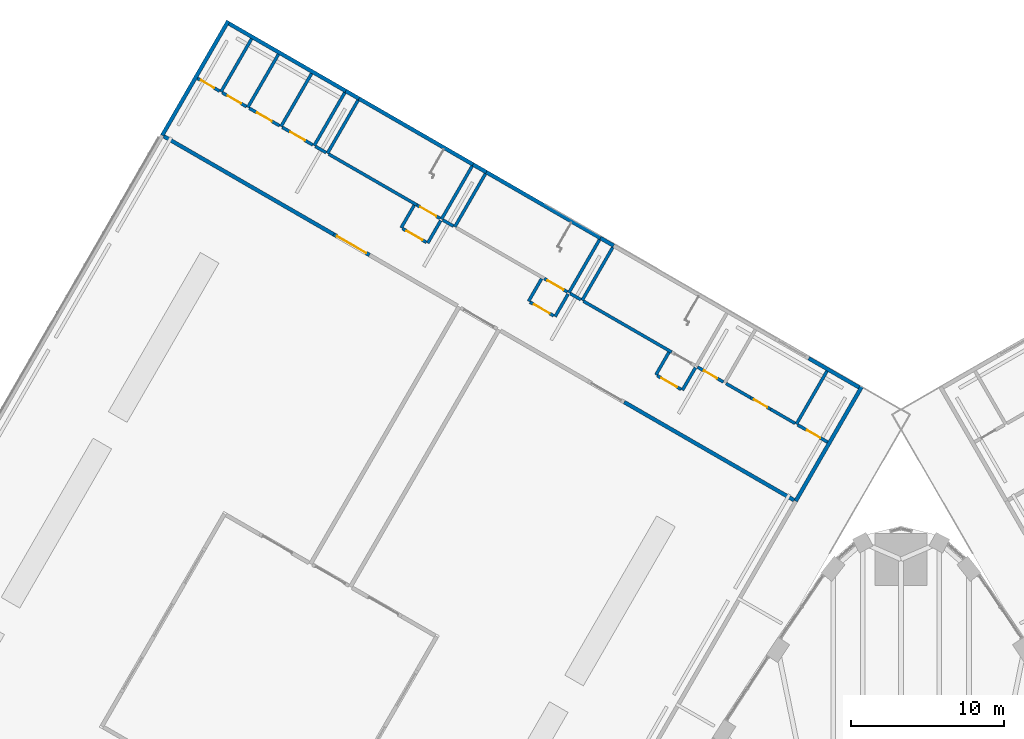
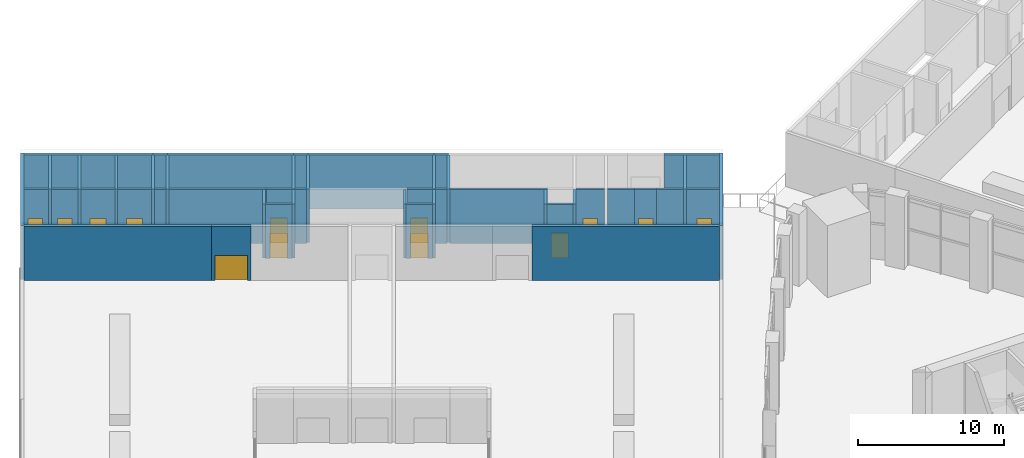
# One storey, part 30 of 41: 47 walls, 13 doors, 13 openings.
"""IFC4 building model written with IfcOpenShell, lengths in metres."""

from ifc_helpers import new_model, si_unit, direction, frame, frame_2d, origin, place, context, subcontext, project, spatial, rectangle, extrude, material, layer, layer_set, type_object, element, fill, save


model = new_model("IFC4")

# Units and contexts
model_context = context("Model", 3, precision=1e-05, world=origin(), true_north=direction((0.0, 1.0)))
body_context = subcontext(model_context, "Body", "Model", "MODEL_VIEW")
ifc_project = project(units=[si_unit("LENGTHUNIT", "METRE"), si_unit("AREAUNIT", "SQUARE_METRE"), si_unit("VOLUMEUNIT", "CUBIC_METRE"), si_unit("PLANEANGLEUNIT", "RADIAN"), si_unit("MASSUNIT", "GRAM", prefix="KILO")], contexts=[model_context])

# Site, building, storey
site_placement = place(None, origin())
site = spatial("IfcSite", under=ifc_project, at=site_placement, CompositionType="ELEMENT")
building_placement = place(site_placement, origin())
building = spatial("IfcBuilding", under=site, at=building_placement, Name="Mestral Congress Tower", CompositionType="ELEMENT")
storey_placement = place(building_placement, frame((0.0, 0.0, 21.60009765625)))
storey = spatial("IfcBuildingStorey", under=building, at=storey_placement, Name="L04", CompositionType="ELEMENT", Elevation=21.60009765625)

# Walls
ifc_material_1 = material(Name="Precast concrete C40/50 with limestone facing", Category="masonry")
ifc_layer_1 = layer(ifc_material_1, 0.25)
ifc_layer_set_1 = layer_set([ifc_layer_1], Name="Precast concrete C40/50 with limestone facing")
wall_type_1 = type_object("IfcWallType", Name="Podium external wall 250 R 180 load-bearing to roof", PredefinedType="SOLIDWALL", material=ifc_layer_set_1)
for number, where, z_axis, x_axis, name in (
    (1, (-2.5625, 47.66748046875, 0.0), (0.0, 0.0, 1.0), (-0.499999331568, -0.866025789703, 0.0), "L04 external wall"),
    (2, (-48.227783203125, 64.072998046875, 0.0), (0.0, 0.0, 1.0), (0.499999331568, 0.866025789703, 0.0), "L04 external wall"),
):
    element("IfcWall", number, at=place(storey_placement, frame(where, z_axis=z_axis, x_axis=x_axis)), inside=storey, type_object=wall_type_1, Name=name, PredefinedType="SOLIDWALL", context=body_context, shape_type="SweptSolid", body=[
        extrude(rectangle(XDim=8.625, YDim=0.25, at=frame_2d((4.3125, 0.0))), origin(), (0.0, 0.0, 1.0), 4.5),
    ])
wall_1_placement = place(storey_placement, frame((-6.024169921875, 49.521728515625, 0.0), z_axis=(0.0, 0.0, 1.0), x_axis=(0.866000483506, -0.500043160704, 0.0)))
element("IfcWall", 3, at=wall_1_placement, inside=storey, type_object=wall_type_1, Name="L04 external wall", PredefinedType="SOLIDWALL", context=body_context, shape_type="SweptSolid", body=[
    extrude(rectangle(XDim=3.800048828125, YDim=0.25, at=frame_2d((1.89990234375, 0.0))), origin(), (0.0, 0.0, 1.0), 4.5),
])
wall_2_placement = place(storey_placement, frame((-27.068603515625, 61.671630859375, 0.0), z_axis=(0.0, 0.0, 1.0), x_axis=(0.866021068297, -0.500007509209, 0.0)))
element("IfcWall", 4, at=wall_2_placement, inside=storey, type_object=wall_type_1, Name="L04 external wall", PredefinedType="SOLIDWALL", context=body_context, shape_type="SweptSolid", body=[
    extrude(rectangle(XDim=8.599853515625, YDim=0.25, at=frame_2d((4.2998046875, 0.0))), origin(), (0.0, 0.0, 1.0), 4.5),
])
wall_3_placement = place(storey_placement, frame((-35.382568359375, 66.4716796875, 0.0), z_axis=(0.0, 0.0, 1.0), x_axis=(0.866028165386, -0.499995216735, 0.0)))
element("IfcWall", 5, at=wall_3_placement, inside=storey, type_object=wall_type_1, Name="L04 external wall", PredefinedType="SOLIDWALL", context=body_context, shape_type="SweptSolid", body=[
    extrude(rectangle(XDim=8.60009765625, YDim=0.25, at=frame_2d((4.300048828125, 0.0))), origin(), (0.0, 0.0, 1.0), 4.5),
])
wall_4_placement = place(storey_placement, frame((-43.869384765625, 71.37158203125, 0.0), z_axis=(0.0, 0.0, 1.0), x_axis=(0.866025267465, -0.500000236112, 0.0)))
element("IfcWall", 6, at=wall_4_placement, inside=storey, type_object=wall_type_1, Name="L04 external wall", PredefinedType="SOLIDWALL", context=body_context, shape_type="SweptSolid", body=[
    extrude(rectangle(XDim=8.7998046875, YDim=0.25, at=frame_2d((4.39990234375, 0.0))), origin(), (0.0, 0.0, 1.0), 4.5),
])
wall_5_placement = place(storey_placement, frame((-18.068359375, 46.660400390625, 0.0), z_axis=(0.0, 0.0, 1.0), x_axis=(0.866025499775, -0.499999833739, 0.0)))
element("IfcWall", 7, at=wall_5_placement, inside=storey, type_object=wall_type_1, Name="L04 external wall", PredefinedType="SOLIDWALL", context=body_context, shape_type="SweptSolid", body=[
    extrude(rectangle(XDim=12.7998046875, YDim=0.25, at=frame_2d((6.39990234375, 0.0))), origin(), (0.0, 0.0, 1.0), 4.5),
])

# Wall, opening, door
wall_6_placement = place(storey_placement, frame((-34.696044921875, 56.260498046875, 0.0), z_axis=(0.0, 0.0, 1.0), x_axis=(-0.866019956843, 0.50000943426, 0.0)))
wall_6 = element("IfcWall", 8, at=wall_6_placement, inside=storey, type_object=wall_type_1, Name="L04 external wall", PredefinedType="SOLIDWALL", context=body_context, shape_type="SweptSolid", body=[
    extrude(rectangle(XDim=2.7001953125, YDim=0.25, at=frame_2d((1.35009765625, 0.0))), origin(), (0.0, 0.0, 1.0), 4.5),
])
opening_1_placement = place(wall_6_placement, frame((0.25, 0.0, 0.0)))
opening_1 = element("IfcOpeningElement", 9, at=opening_1_placement, cuts=wall_6, Name="Opening P04-302", PredefinedType="OPENING", context=body_context, shape_type="SweptSolid", body=[
    extrude(rectangle(XDim=2.199951171875, YDim=2.10009765625, at=frame_2d((1.10009765625, 1.050048828125))), frame((0.0, 0.135009765625, 0.0), z_axis=(0.0, -1.0, 0.0), x_axis=(1.0, 0.0, 0.0)), (0.0, 0.0, 1.0), 0.27001953125),
])
ifc_material_2 = material(Name="Steel and glass door set", Category="steel")
door_type_1 = type_object("IfcDoorType", Name="Podium entrance door 2200x2100", OperationType="DOUBLE_DOOR_SINGLE_SWING", PredefinedType="DOOR", material=ifc_material_2)
door_1_placement = place(opening_1_placement, origin())
door_1 = element("IfcDoor", 10, at=door_1_placement, inside=storey, type_object=door_type_1, Name="Door P04-302", OperationType="DOUBLE_DOOR_SINGLE_SWING", OverallHeight=2.10009765625, OverallWidth=2.199951171875, PredefinedType="DOOR", context=body_context, shape_type="SweptSolid", body=[
    extrude(rectangle(XDim=2.199951171875, YDim=2.10009765625, at=frame_2d((1.10009765625, 1.050048828125))), frame((0.0, 0.02490234375, 0.0), z_axis=(0.0, -1.0, 0.0), x_axis=(1.0, 0.0, 0.0)), (0.0, 0.0, 1.0), 0.050048828125),
])
fill(opening_1, door_1)

# Walls
wall_7_placement = place(storey_placement, frame((-48.119384765625, 64.010498046875, 0.0), z_axis=(0.0, 0.0, 1.0), x_axis=(0.866025499775, -0.499999833739, 0.0)))
element("IfcWall", 11, at=wall_7_placement, inside=storey, type_object=wall_type_1, Name="L04 external wall", PredefinedType="SOLIDWALL", context=body_context, shape_type="SweptSolid", body=[
    extrude(rectangle(XDim=12.7998046875, YDim=0.25, at=frame_2d((6.39990234375, 0.0))), origin(), (0.0, 0.0, 1.0), 4.5),
])
for number, where, z_axis, x_axis, name in (
    (12, (-19.620849609375, 57.37158203125, 0.0), (0.0, 0.0, 1.0), (0.866010750942, -0.50002537861, 0.0), "L04 external wall"),
    (13, (-27.9345703125, 62.171630859375, 0.0), (0.0, 0.0, 1.0), (0.866010750942, -0.50002537861, 0.0), "L04 external wall"),
    (14, (-36.24853515625, 66.9716796875, 0.0), (0.0, 0.0, 1.0), (0.866010750942, -0.50002537861, 0.0), "L04 external wall"),
):
    element("IfcWall", number, at=place(storey_placement, frame(where, z_axis=z_axis, x_axis=x_axis)), inside=storey, type_object=wall_type_1, Name=name, PredefinedType="SOLIDWALL", context=body_context, shape_type="SweptSolid", body=[
        extrude(rectangle(XDim=1.0, YDim=0.25, at=frame_2d((0.5, 0.0))), origin(), (0.0, 0.0, 1.0), 4.5),
    ])
ifc_material_3 = material(Name="Masonry block wall", Category="masonry")
ifc_layer_2 = layer(ifc_material_3, 0.199951171875)
ifc_layer_set_2 = layer_set([ifc_layer_2], Name="Masonry block wall")
wall_type_2 = type_object("IfcWallType", Name="Podium stair enclosure wall 200 EI 120 load-bearing", PredefinedType="SOLIDWALL", material=ifc_layer_set_2)
for number, where, z_axis, x_axis, name in (
    (15, (-18.8173828125, 56.763427734375, 0.0), (0.0, 0.0, 1.0), (-0.49999894854, -0.866026010844, 0.0), "L04 partition"),
    (16, (-19.683349609375, 57.263427734375, 0.0), (0.0, 0.0, 1.0), (-0.49999894854, -0.866026010844, 0.0), "L04 partition"),
    (17, (-27.131103515625, 61.5634765625, 0.0), (0.0, 0.0, 1.0), (-0.49999894854, -0.866026010844, 0.0), "L04 partition"),
    (18, (-27.9970703125, 62.0634765625, 0.0), (0.0, 0.0, 1.0), (-0.49999894854, -0.866026010844, 0.0), "L04 partition"),
    (19, (-35.445068359375, 66.363525390625, 0.0), (0.0, 0.0, 1.0), (-0.49999894854, -0.866026010844, 0.0), "L04 partition"),
):
    element("IfcWall", number, at=place(storey_placement, frame(where, z_axis=z_axis, x_axis=x_axis)), inside=storey, type_object=wall_type_2, Name=name, PredefinedType="SOLIDWALL", context=body_context, shape_type="SweptSolid", body=[
        extrude(rectangle(XDim=4.0, YDim=0.199951171875, at=frame_2d((2.0, 0.0))), origin(), (0.0, 0.0, 1.0), 4.5),
    ])
wall_8_placement = place(storey_placement, frame((-14.9716796875, 49.92431640625, 0.0), z_axis=(0.0, 0.0, 1.0), x_axis=(-0.86601134256, 0.500024353964, 0.0)))
element("IfcWall", 20, at=wall_8_placement, inside=storey, type_object=wall_type_2, Name="L04 partition", PredefinedType="SOLIDWALL", context=body_context, shape_type="SweptSolid", body=[
    extrude(rectangle(XDim=6.650146484375, YDim=0.199951171875, at=frame_2d((3.3251953125, 0.0))), origin(), (0.0, 0.0, 1.0), 4.5),
])

# Wall, opening, door
wall_9_placement = place(storey_placement, frame((-23.285400390625, 54.724365234375, 0.0), z_axis=(0.0, 0.0, 1.0), x_axis=(0.866002029911, -0.500040482552, 0.0)))
wall_9 = element("IfcWall", 21, at=wall_9_placement, inside=storey, type_object=wall_type_2, Name="L04 partition", PredefinedType="SOLIDWALL", context=body_context, shape_type="SweptSolid", body=[
    extrude(rectangle(XDim=1.749755859375, YDim=0.199951171875, at=frame_2d((0.875, 0.0))), origin(), (0.0, 0.0, 1.0), 4.5),
])
opening_2_placement = place(wall_9_placement, frame((0.25, 0.0, 0.0)))
opening_2 = element("IfcOpeningElement", 22, at=opening_2_placement, cuts=wall_9, Name="Opening P04-309", PredefinedType="OPENING", context=body_context, shape_type="SweptSolid", body=[
    extrude(rectangle(XDim=1.199951171875, YDim=2.10009765625, at=frame_2d((0.60009765625, 1.050048828125))), frame((0.0, 0.10986328125, 0.0), z_axis=(0.0, -1.0, 0.0), x_axis=(1.0, 0.0, 0.0)), (0.0, 0.0, 1.0), 0.219970703125),
])
ifc_material_4 = material(Name="Fire-rated steel door set", Category="steel")
door_type_2 = type_object("IfcDoorType", Name="Podium stair door 1200x2100 EI2 30-C5", OperationType="SINGLE_SWING_LEFT", PredefinedType="DOOR", material=ifc_material_4)
door_2_placement = place(opening_2_placement, origin())
door_2 = element("IfcDoor", 23, at=door_2_placement, inside=storey, type_object=door_type_2, Name="Door P04-309", OperationType="SINGLE_SWING_LEFT", OverallHeight=2.10009765625, OverallWidth=1.199951171875, PredefinedType="DOOR", context=body_context, shape_type="SweptSolid", body=[
    extrude(rectangle(XDim=1.199951171875, YDim=2.10009765625, at=frame_2d((0.60009765625, 1.050048828125))), frame((0.0, 0.02490234375, 0.0), z_axis=(0.0, -1.0, 0.0), x_axis=(1.0, 0.0, 0.0)), (0.0, 0.0, 1.0), 0.050048828125),
])
fill(opening_2, door_2)

wall_10_placement = place(storey_placement, frame((-31.599365234375, 59.5244140625, 0.0), z_axis=(0.0, 0.0, 1.0), x_axis=(0.866036909293, -0.499980071345, 0.0)))
wall_10 = element("IfcWall", 24, at=wall_10_placement, inside=storey, type_object=wall_type_2, Name="L04 partition", PredefinedType="SOLIDWALL", context=body_context, shape_type="SweptSolid", body=[
    extrude(rectangle(XDim=1.75, YDim=0.199951171875, at=frame_2d((0.875, 0.0))), origin(), (0.0, 0.0, 1.0), 4.5),
])
opening_3_placement = place(wall_10_placement, frame((0.25, 0.0, 0.0)))
opening_3 = element("IfcOpeningElement", 25, at=opening_3_placement, cuts=wall_10, Name="Opening P04-310", PredefinedType="OPENING", context=body_context, shape_type="SweptSolid", body=[
    extrude(rectangle(XDim=1.199951171875, YDim=2.10009765625, at=frame_2d((0.60009765625, 1.050048828125))), frame((0.0, 0.10986328125, 0.0), z_axis=(0.0, -1.0, 0.0), x_axis=(1.0, 0.0, 0.0)), (0.0, 0.0, 1.0), 0.219970703125),
])
door_3_placement = place(opening_3_placement, origin())
door_3 = element("IfcDoor", 26, at=door_3_placement, inside=storey, type_object=door_type_2, Name="Door P04-310", OperationType="SINGLE_SWING_LEFT", OverallHeight=2.10009765625, OverallWidth=1.199951171875, PredefinedType="DOOR", context=body_context, shape_type="SweptSolid", body=[
    extrude(rectangle(XDim=1.199951171875, YDim=2.10009765625, at=frame_2d((0.60009765625, 1.050048828125))), frame((0.0, 0.02490234375, 0.0), z_axis=(0.0, -1.0, 0.0), x_axis=(1.0, 0.0, 0.0)), (0.0, 0.0, 1.0), 0.050048828125),
])
fill(opening_3, door_3)

# Walls
wall_11_placement = place(storey_placement, frame((-31.599365234375, 59.5244140625, 0.0), z_axis=(0.0, 0.0, 1.0), x_axis=(-0.866027239912, 0.49999681972, 0.0)))
element("IfcWall", 27, at=wall_11_placement, inside=storey, type_object=wall_type_2, Name="L04 partition", PredefinedType="SOLIDWALL", context=body_context, shape_type="SweptSolid", body=[
    extrude(rectangle(XDim=6.64990234375, YDim=0.199951171875, at=frame_2d((3.324951171875, 0.0))), origin(), (0.0, 0.0, 1.0), 4.5),
])
for number, where, z_axis, x_axis, name in (
    (28, (-36.31103515625, 66.863525390625, 0.0), (0.0, 0.0, 1.0), (-0.49999894854, -0.866026010844, 0.0), "L04 partition"),
    (29, (-38.47607421875, 68.113525390625, 0.0), (0.0, 0.0, 1.0), (-0.49999894854, -0.866026010844, 0.0), "L04 partition"),
    (30, (-40.64111328125, 69.363525390625, 0.0), (0.0, 0.0, 1.0), (-0.49999894854, -0.866026010844, 0.0), "L04 partition"),
):
    element("IfcWall", number, at=place(storey_placement, frame(where, z_axis=z_axis, x_axis=x_axis)), inside=storey, type_object=wall_type_2, Name=name, PredefinedType="SOLIDWALL", context=body_context, shape_type="SweptSolid", body=[
        extrude(rectangle(XDim=4.0, YDim=0.199951171875, at=frame_2d((2.0, 0.0))), origin(), (0.0, 0.0, 1.0), 4.5),
    ])

# Wall, opening, door
wall_12_placement = place(storey_placement, frame((-40.389404296875, 64.599365234375, 0.0), z_axis=(0.0, 0.0, 1.0), x_axis=(0.86602648383, -0.499998129301, 0.0)))
wall_12 = element("IfcWall", 31, at=wall_12_placement, inside=storey, type_object=wall_type_2, Name="L04 partition", PredefinedType="SOLIDWALL", context=body_context, shape_type="SweptSolid", body=[
    extrude(rectangle(XDim=2.2998046875, YDim=0.199951171875, at=frame_2d((1.14990234375, 0.0))), origin(), (0.0, 0.0, 1.0), 4.5),
])
opening_4_placement = place(wall_12_placement, frame((0.60009765625, 0.0, 0.0)))
opening_4 = element("IfcOpeningElement", 32, at=opening_4_placement, cuts=wall_12, Name="Opening P04-314", PredefinedType="OPENING", context=body_context, shape_type="SweptSolid", body=[
    extrude(rectangle(XDim=1.10009765625, YDim=2.10009765625, at=frame_2d((0.550048828125, 1.050048828125))), frame((0.0, 0.10986328125, 0.0), z_axis=(0.0, -1.0, 0.0), x_axis=(1.0, 0.0, 0.0)), (0.0, 0.0, 1.0), 0.219970703125),
])
door_type_3 = type_object("IfcDoorType", Name="Podium lift landing door 1100x2100 EI2 60-C5", OperationType="DOUBLE_DOOR_SLIDING", PredefinedType="DOOR", material=ifc_material_4)
door_4_placement = place(opening_4_placement, origin())
door_4 = element("IfcDoor", 33, at=door_4_placement, inside=storey, type_object=door_type_3, Name="Door P04-314", OperationType="DOUBLE_DOOR_SLIDING", OverallHeight=2.10009765625, OverallWidth=1.10009765625, PredefinedType="DOOR", context=body_context, shape_type="SweptSolid", body=[
    extrude(rectangle(XDim=1.10009765625, YDim=2.10009765625, at=frame_2d((0.550048828125, 1.050048828125))), frame((0.0, 0.02490234375, 0.0), z_axis=(0.0, -1.0, 0.0), x_axis=(1.0, 0.0, 0.0)), (0.0, 0.0, 1.0), 0.050048828125),
])
fill(opening_4, door_4)

wall_13_placement = place(storey_placement, frame((-42.554443359375, 65.849365234375, 0.0), z_axis=(0.0, 0.0, 1.0), x_axis=(0.86602648383, -0.499998129301, 0.0)))
wall_13 = element("IfcWall", 34, at=wall_13_placement, inside=storey, type_object=wall_type_2, Name="L04 partition", PredefinedType="SOLIDWALL", context=body_context, shape_type="SweptSolid", body=[
    extrude(rectangle(XDim=2.2998046875, YDim=0.199951171875, at=frame_2d((1.14990234375, 0.0))), origin(), (0.0, 0.0, 1.0), 4.5),
])
opening_5_placement = place(wall_13_placement, frame((0.60009765625, 0.0, 0.0)))
opening_5 = element("IfcOpeningElement", 35, at=opening_5_placement, cuts=wall_13, Name="Opening P04-315", PredefinedType="OPENING", context=body_context, shape_type="SweptSolid", body=[
    extrude(rectangle(XDim=1.10009765625, YDim=2.10009765625, at=frame_2d((0.550048828125, 1.050048828125))), frame((0.0, 0.10986328125, 0.0), z_axis=(0.0, -1.0, 0.0), x_axis=(1.0, 0.0, 0.0)), (0.0, 0.0, 1.0), 0.219970703125),
])
door_5_placement = place(opening_5_placement, origin())
door_5 = element("IfcDoor", 36, at=door_5_placement, inside=storey, type_object=door_type_3, Name="Door P04-315", OperationType="DOUBLE_DOOR_SLIDING", OverallHeight=2.10009765625, OverallWidth=1.10009765625, PredefinedType="DOOR", context=body_context, shape_type="SweptSolid", body=[
    extrude(rectangle(XDim=1.10009765625, YDim=2.10009765625, at=frame_2d((0.550048828125, 1.050048828125))), frame((0.0, 0.02490234375, 0.0), z_axis=(0.0, -1.0, 0.0), x_axis=(1.0, 0.0, 0.0)), (0.0, 0.0, 1.0), 0.050048828125),
])
fill(opening_5, door_5)

# Walls
ifc_material_5 = material(Name="Fire-rated board partition")
ifc_layer_3 = layer(ifc_material_5, 0.199951171875)
ifc_layer_set_3 = layer_set([ifc_layer_3], Name="Fire-rated board partition")
wall_type_3 = type_object("IfcWallType", Name="Podium vestibule wall 200 EI 120", PredefinedType="PARTITIONING", material=ifc_layer_set_3)
wall_14_placement = place(storey_placement, frame((-13.41943359375, 48.912841796875, 0.0), z_axis=(0.0, 0.0, 1.0), x_axis=(-0.500000056704, -0.866025371046, 0.0)))
element("IfcWall", 37, at=wall_14_placement, inside=storey, type_object=wall_type_3, Name="L04 partition", PredefinedType="PARTITIONING", context=body_context, shape_type="SweptSolid", body=[
    extrude(rectangle(XDim=1.7001953125, YDim=0.199951171875, at=frame_2d((0.85009765625, 0.0))), origin(), (0.0, 0.0, 1.0), 4.5),
])
for number, where, z_axis, x_axis, name in (
    (38, (-15.151611328125, 49.912841796875, 0.0), (0.0, 0.0, 1.0), (-0.499892348375, -0.866087547558, 0.0), "L04 partition"),
    (39, (-21.7333984375, 53.712890625, 0.0), (0.0, 0.0, 1.0), (-0.499892348375, -0.866087547558, 0.0), "L04 partition"),
):
    element("IfcWall", number, at=place(storey_placement, frame(where, z_axis=z_axis, x_axis=x_axis)), inside=storey, type_object=wall_type_3, Name=name, PredefinedType="PARTITIONING", context=body_context, shape_type="SweptSolid", body=[
        extrude(rectangle(XDim=1.699951171875, YDim=0.199951171875, at=frame_2d((0.85009765625, 0.0))), origin(), (0.0, 0.0, 1.0), 4.5),
    ])
wall_15_placement = place(storey_placement, frame((-23.46533203125, 54.712890625, 0.0), z_axis=(0.0, 0.0, 1.0), x_axis=(-0.500000056704, -0.866025371046, 0.0)))
element("IfcWall", 40, at=wall_15_placement, inside=storey, type_object=wall_type_3, Name="L04 partition", PredefinedType="PARTITIONING", context=body_context, shape_type="SweptSolid", body=[
    extrude(rectangle(XDim=1.7001953125, YDim=0.199951171875, at=frame_2d((0.85009765625, 0.0))), origin(), (0.0, 0.0, 1.0), 4.5),
])
for number, where, z_axis, x_axis, name in (
    (41, (-30.047119140625, 58.5126953125, 0.0), (0.0, 0.0, 1.0), (-0.500062241894, -0.865989465428, 0.0), "L04 partition"),
    (42, (-31.779296875, 59.5126953125, 0.0), (0.0, 0.0, 1.0), (-0.499954529098, -0.86605165483, 0.0), "L04 partition"),
):
    element("IfcWall", number, at=place(storey_placement, frame(where, z_axis=z_axis, x_axis=x_axis)), inside=storey, type_object=wall_type_3, Name=name, PredefinedType="PARTITIONING", context=body_context, shape_type="SweptSolid", body=[
        extrude(rectangle(XDim=1.699951171875, YDim=0.199951171875, at=frame_2d((0.85009765625, 0.0))), origin(), (0.0, 0.0, 1.0), 4.5),
    ])

# Wall, opening, door
wall_16_placement = place(storey_placement, frame((-15.914794921875, 48.390380859375, 0.0), z_axis=(0.0, 0.0, 1.0), x_axis=(0.866013897511, -0.50001992892, 0.0)))
wall_16 = element("IfcWall", 43, at=wall_16_placement, inside=storey, type_object=wall_type_3, Name="L04 partition", PredefinedType="PARTITIONING", context=body_context, shape_type="SweptSolid", body=[
    extrude(rectangle(XDim=1.7998046875, YDim=0.199951171875, at=frame_2d((0.89990234375, 0.0))), origin(), (0.0, 0.0, 1.0), 4.5),
])
opening_6_placement = place(wall_16_placement, frame((0.300048828125, 0.0, 0.0)))
opening_6 = element("IfcOpeningElement", 44, at=opening_6_placement, cuts=wall_16, Name="Opening P04-318", PredefinedType="OPENING", context=body_context, shape_type="SweptSolid", body=[
    extrude(rectangle(XDim=1.199951171875, YDim=2.10009765625, at=frame_2d((0.60009765625, 1.050048828125))), frame((0.0, 0.10986328125, 0.0), z_axis=(0.0, -1.0, 0.0), x_axis=(1.0, 0.0, 0.0)), (0.0, 0.0, 1.0), 0.219970703125),
])
door_type_4 = type_object("IfcDoorType", Name="Podium vestibule door 1200x2100 EI2 30-C5", OperationType="SINGLE_SWING_LEFT", PredefinedType="DOOR", material=ifc_material_4)
door_6_placement = place(opening_6_placement, origin())
door_6 = element("IfcDoor", 45, at=door_6_placement, inside=storey, type_object=door_type_4, Name="Door P04-318", OperationType="SINGLE_SWING_LEFT", OverallHeight=2.10009765625, OverallWidth=1.199951171875, PredefinedType="DOOR", context=body_context, shape_type="SweptSolid", body=[
    extrude(rectangle(XDim=1.199951171875, YDim=2.10009765625, at=frame_2d((0.60009765625, 1.050048828125))), frame((0.0, 0.02490234375, 0.0), z_axis=(0.0, -1.0, 0.0), x_axis=(1.0, 0.0, 0.0)), (0.0, 0.0, 1.0), 0.050048828125),
])
fill(opening_6, door_6)

wall_17_placement = place(storey_placement, frame((-24.228759765625, 53.1904296875, 0.0), z_axis=(0.0, 0.0, 1.0), x_axis=(0.866047807691, -0.499961193289, 0.0)))
wall_17 = element("IfcWall", 46, at=wall_17_placement, inside=storey, type_object=wall_type_3, Name="L04 partition", PredefinedType="PARTITIONING", context=body_context, shape_type="SweptSolid", body=[
    extrude(rectangle(XDim=1.800048828125, YDim=0.199951171875, at=frame_2d((0.89990234375, 0.0))), origin(), (0.0, 0.0, 1.0), 4.5),
])
opening_7_placement = place(wall_17_placement, frame((0.300048828125, 0.0, 0.0)))
opening_7 = element("IfcOpeningElement", 47, at=opening_7_placement, cuts=wall_17, Name="Opening P04-319", PredefinedType="OPENING", context=body_context, shape_type="SweptSolid", body=[
    extrude(rectangle(XDim=1.199951171875, YDim=2.10009765625, at=frame_2d((0.60009765625, 1.050048828125))), frame((0.0, 0.10986328125, 0.0), z_axis=(0.0, -1.0, 0.0), x_axis=(1.0, 0.0, 0.0)), (0.0, 0.0, 1.0), 0.219970703125),
])
door_7_placement = place(opening_7_placement, origin())
door_7 = element("IfcDoor", 48, at=door_7_placement, inside=storey, type_object=door_type_4, Name="Door P04-319", OperationType="SINGLE_SWING_LEFT", OverallHeight=2.10009765625, OverallWidth=1.199951171875, PredefinedType="DOOR", context=body_context, shape_type="SweptSolid", body=[
    extrude(rectangle(XDim=1.199951171875, YDim=2.10009765625, at=frame_2d((0.60009765625, 1.050048828125))), frame((0.0, 0.02490234375, 0.0), z_axis=(0.0, -1.0, 0.0), x_axis=(1.0, 0.0, 0.0)), (0.0, 0.0, 1.0), 0.050048828125),
])
fill(opening_7, door_7)

wall_18_placement = place(storey_placement, frame((-32.54248046875, 57.990478515625, 0.0), z_axis=(0.0, 0.0, 1.0), x_axis=(0.866047807691, -0.499961193289, 0.0)))
wall_18 = element("IfcWall", 49, at=wall_18_placement, inside=storey, type_object=wall_type_3, Name="L04 partition", PredefinedType="PARTITIONING", context=body_context, shape_type="SweptSolid", body=[
    extrude(rectangle(XDim=1.800048828125, YDim=0.199951171875, at=frame_2d((0.89990234375, 0.0))), origin(), (0.0, 0.0, 1.0), 4.5),
])
opening_8_placement = place(wall_18_placement, frame((0.300048828125, 0.0, 0.0)))
opening_8 = element("IfcOpeningElement", 50, at=opening_8_placement, cuts=wall_18, Name="Opening P04-320", PredefinedType="OPENING", context=body_context, shape_type="SweptSolid", body=[
    extrude(rectangle(XDim=1.199951171875, YDim=2.10009765625, at=frame_2d((0.60009765625, 1.050048828125))), frame((0.0, 0.10986328125, 0.0), z_axis=(0.0, -1.0, 0.0), x_axis=(1.0, 0.0, 0.0)), (0.0, 0.0, 1.0), 0.219970703125),
])
door_8_placement = place(opening_8_placement, origin())
door_8 = element("IfcDoor", 51, at=door_8_placement, inside=storey, type_object=door_type_4, Name="Door P04-320", OperationType="SINGLE_SWING_LEFT", OverallHeight=2.10009765625, OverallWidth=1.199951171875, PredefinedType="DOOR", context=body_context, shape_type="SweptSolid", body=[
    extrude(rectangle(XDim=1.199951171875, YDim=2.10009765625, at=frame_2d((0.60009765625, 1.050048828125))), frame((0.0, 0.02490234375, 0.0), z_axis=(0.0, -1.0, 0.0), x_axis=(1.0, 0.0, 0.0)), (0.0, 0.0, 1.0), 0.050048828125),
])
fill(opening_8, door_8)

# Walls
for number, where, z_axis, x_axis, name in (
    (52, (-4.8310546875, 48.6884765625, 0.0), (0.0, 0.0, 1.0), (-0.49999894854, -0.866026010844, 0.0), "L04 partition"),
    (53, (-42.394775390625, 70.3759765625, 0.0), (0.0, 0.0, 1.0), (-0.49999894854, -0.866026010844, 0.0), "L04 partition"),
):
    element("IfcWall", number, at=place(storey_placement, frame(where, z_axis=z_axis, x_axis=x_axis)), inside=storey, type_object=wall_type_3, Name=name, PredefinedType="PARTITIONING", context=body_context, shape_type="SweptSolid", body=[
        extrude(rectangle(XDim=4.0, YDim=0.199951171875, at=frame_2d((2.0, 0.0))), origin(), (0.0, 0.0, 1.0), 4.5),
    ])

# Wall, opening, door
wall_19_placement = place(storey_placement, frame((-6.744384765625, 45.17431640625, 0.0), z_axis=(0.0, 0.0, 1.0), x_axis=(0.866017533419, -0.500013631625, 0.0)))
wall_19 = element("IfcWall", 54, at=wall_19_placement, inside=storey, type_object=wall_type_3, Name="L04 partition", PredefinedType="PARTITIONING", context=body_context, shape_type="SweptSolid", body=[
    extrude(rectangle(XDim=2.25, YDim=0.199951171875, at=frame_2d((1.125, 0.0))), origin(), (0.0, 0.0, 1.0), 4.5),
])
opening_9_placement = place(wall_19_placement, frame((0.699951171875, 0.0, 0.0)))
opening_9 = element("IfcOpeningElement", 55, at=opening_9_placement, cuts=wall_19, Name="Opening P04-324", PredefinedType="OPENING", context=body_context, shape_type="SweptSolid", body=[
    extrude(rectangle(XDim=1.0, YDim=2.10009765625, at=frame_2d((0.5, 1.050048828125))), frame((0.0, 0.10986328125, 0.0), z_axis=(0.0, -1.0, 0.0), x_axis=(1.0, 0.0, 0.0)), (0.0, 0.0, 1.0), 0.219970703125),
])
door_type_5 = type_object("IfcDoorType", Name="Podium room door 1000x2100 EI2 30-C5", OperationType="SINGLE_SWING_LEFT", PredefinedType="DOOR", material=ifc_material_4)
door_9_placement = place(opening_9_placement, origin())
door_9 = element("IfcDoor", 56, at=door_9_placement, inside=storey, type_object=door_type_5, Name="Door P04-324", OperationType="SINGLE_SWING_LEFT", OverallHeight=2.10009765625, OverallWidth=1.0, PredefinedType="DOOR", context=body_context, shape_type="SweptSolid", body=[
    extrude(rectangle(XDim=1.0, YDim=2.10009765625, at=frame_2d((0.5, 1.050048828125))), frame((0.0, 0.02490234375, 0.0), z_axis=(0.0, -1.0, 0.0), x_axis=(1.0, 0.0, 0.0)), (0.0, 0.0, 1.0), 0.050048828125),
])
fill(opening_9, door_9)

wall_20_placement = place(storey_placement, frame((-44.30810546875, 66.86181640625, 0.0), z_axis=(0.0, 0.0, 1.0), x_axis=(0.866036312054, -0.499981105847, 0.0)))
wall_20 = element("IfcWall", 57, at=wall_20_placement, inside=storey, type_object=wall_type_3, Name="L04 partition", PredefinedType="PARTITIONING", context=body_context, shape_type="SweptSolid", body=[
    extrude(rectangle(XDim=1.82470703125, YDim=0.199951171875, at=frame_2d((0.912353515625, 0.0))), origin(), (0.0, 0.0, 1.0), 4.5),
])
opening_10_placement = place(wall_20_placement, frame((0.41259765625, 0.0, 0.0)))
opening_10 = element("IfcOpeningElement", 58, at=opening_10_placement, cuts=wall_20, Name="Opening P04-325", PredefinedType="OPENING", context=body_context, shape_type="SweptSolid", body=[
    extrude(rectangle(XDim=1.0, YDim=2.10009765625, at=frame_2d((0.5, 1.050048828125))), frame((0.0, 0.10986328125, 0.0), z_axis=(0.0, -1.0, 0.0), x_axis=(1.0, 0.0, 0.0)), (0.0, 0.0, 1.0), 0.219970703125),
])
door_10_placement = place(opening_10_placement, origin())
door_10 = element("IfcDoor", 59, at=door_10_placement, inside=storey, type_object=door_type_5, Name="Door P04-325", OperationType="SINGLE_SWING_LEFT", OverallHeight=2.10009765625, OverallWidth=1.0, PredefinedType="DOOR", context=body_context, shape_type="SweptSolid", body=[
    extrude(rectangle(XDim=1.0, YDim=2.10009765625, at=frame_2d((0.5, 1.050048828125))), frame((0.0, 0.02490234375, 0.0), z_axis=(0.0, -1.0, 0.0), x_axis=(1.0, 0.0, 0.0)), (0.0, 0.0, 1.0), 0.050048828125),
])
fill(opening_10, door_10)

wall_21_placement = place(storey_placement, frame((-45.931884765625, 67.79931640625, 0.0), z_axis=(0.0, 0.0, 1.0), x_axis=(0.866027799164, -0.499995851058, 0.0)))
wall_21 = element("IfcWall", 60, at=wall_21_placement, inside=storey, type_object=wall_type_3, Name="L04 partition", PredefinedType="PARTITIONING", context=body_context, shape_type="SweptSolid", body=[
    extrude(rectangle(XDim=1.6748046875, YDim=0.199951171875, at=frame_2d((0.83740234375, 0.0))), origin(), (0.0, 0.0, 1.0), 4.5),
])
opening_11_placement = place(wall_21_placement, frame((0.262451171875, 0.0, 0.0)))
opening_11 = element("IfcOpeningElement", 61, at=opening_11_placement, cuts=wall_21, Name="Opening P04-326", PredefinedType="OPENING", context=body_context, shape_type="SweptSolid", body=[
    extrude(rectangle(XDim=1.0, YDim=2.10009765625, at=frame_2d((0.5, 1.050048828125))), frame((0.0, 0.10986328125, 0.0), z_axis=(0.0, -1.0, 0.0), x_axis=(1.0, 0.0, 0.0)), (0.0, 0.0, 1.0), 0.219970703125),
])
door_11_placement = place(opening_11_placement, origin())
door_11 = element("IfcDoor", 62, at=door_11_placement, inside=storey, type_object=door_type_5, Name="Door P04-326", OperationType="SINGLE_SWING_LEFT", OverallHeight=2.10009765625, OverallWidth=1.0, PredefinedType="DOOR", context=body_context, shape_type="SweptSolid", body=[
    extrude(rectangle(XDim=1.0, YDim=2.10009765625, at=frame_2d((0.5, 1.050048828125))), frame((0.0, 0.02490234375, 0.0), z_axis=(0.0, -1.0, 0.0), x_axis=(1.0, 0.0, 0.0)), (0.0, 0.0, 1.0), 0.050048828125),
])
fill(opening_11, door_11)

# Wall
wall_22_placement = place(storey_placement, frame((-6.91748046875, 45.2744140625, 0.0), z_axis=(0.0, 0.0, 1.0), x_axis=(-0.866033964044, 0.499985172903, 0.0)))
element("IfcWall", 63, at=wall_22_placement, inside=storey, type_object=wall_type_3, Name="L04 partition", PredefinedType="PARTITIONING", context=body_context, shape_type="SweptSolid", body=[
    extrude(rectangle(XDim=1.85009765625, YDim=0.199951171875, at=frame_2d((0.925048828125, 0.0))), origin(), (0.0, 0.0, 1.0), 4.5),
])

# Wall, opening, door
wall_23_placement = place(storey_placement, frame((-9.81884765625, 46.949462890625, 0.0), z_axis=(0.0, 0.0, 1.0), x_axis=(0.866031096941, -0.499990139034, 0.0)))
wall_23 = element("IfcWall", 64, at=wall_23_placement, inside=storey, type_object=wall_type_3, Name="L04 partition", PredefinedType="PARTITIONING", context=body_context, shape_type="SweptSolid", body=[
    extrude(rectangle(XDim=1.5, YDim=0.199951171875, at=frame_2d((0.75, 0.0))), origin(), (0.0, 0.0, 1.0), 4.5),
])
opening_12_placement = place(wall_23_placement, frame((0.25, 0.0, 0.0)))
opening_12 = element("IfcOpeningElement", 65, at=opening_12_placement, cuts=wall_23, Name="Opening P04-330", PredefinedType="OPENING", context=body_context, shape_type="SweptSolid", body=[
    extrude(rectangle(XDim=1.0, YDim=2.10009765625, at=frame_2d((0.5, 1.050048828125))), frame((0.0, 0.10986328125, 0.0), z_axis=(0.0, -1.0, 0.0), x_axis=(1.0, 0.0, 0.0)), (0.0, 0.0, 1.0), 0.219970703125),
])
door_12_placement = place(opening_12_placement, origin())
door_12 = element("IfcDoor", 66, at=door_12_placement, inside=storey, type_object=door_type_5, Name="Door P04-330", OperationType="SINGLE_SWING_LEFT", OverallHeight=2.10009765625, OverallWidth=1.0, PredefinedType="DOOR", context=body_context, shape_type="SweptSolid", body=[
    extrude(rectangle(XDim=1.0, YDim=2.10009765625, at=frame_2d((0.5, 1.050048828125))), frame((0.0, 0.02490234375, 0.0), z_axis=(0.0, -1.0, 0.0), x_axis=(1.0, 0.0, 0.0)), (0.0, 0.0, 1.0), 0.050048828125),
])
fill(opening_12, door_12)

# Wall
wall_24_placement = place(storey_placement, frame((-9.81884765625, 46.949462890625, 0.0), z_axis=(0.0, 0.0, 1.0), x_axis=(-0.866000971088, 0.500042316284, 0.0)))
element("IfcWall", 67, at=wall_24_placement, inside=storey, type_object=wall_type_3, Name="L04 partition", PredefinedType="PARTITIONING", context=body_context, shape_type="SweptSolid", body=[
    extrude(rectangle(XDim=1.849853515625, YDim=0.199951171875, at=frame_2d((0.9248046875, 0.0))), origin(), (0.0, 0.0, 1.0), 4.5),
])

# Wall, opening, door
wall_25_placement = place(storey_placement, frame((-13.282958984375, 48.949462890625, 0.0), z_axis=(0.0, 0.0, 1.0), x_axis=(0.866031321059, -0.49998975084, 0.0)))
wall_25 = element("IfcWall", 68, at=wall_25_placement, inside=storey, type_object=wall_type_3, Name="L04 partition", PredefinedType="PARTITIONING", context=body_context, shape_type="SweptSolid", body=[
    extrude(rectangle(XDim=1.9501953125, YDim=0.199951171875, at=frame_2d((0.97509765625, 0.0))), origin(), (0.0, 0.0, 1.0), 4.5),
])
opening_13_placement = place(wall_25_placement, frame((0.47509765625, 0.0, 0.0)))
opening_13 = element("IfcOpeningElement", 69, at=opening_13_placement, cuts=wall_25, Name="Opening P04-331", PredefinedType="OPENING", context=body_context, shape_type="SweptSolid", body=[
    extrude(rectangle(XDim=1.0, YDim=2.10009765625, at=frame_2d((0.5, 1.050048828125))), frame((0.0, 0.10986328125, 0.0), z_axis=(0.0, -1.0, 0.0), x_axis=(1.0, 0.0, 0.0)), (0.0, 0.0, 1.0), 0.219970703125),
])
door_13_placement = place(opening_13_placement, origin())
door_13 = element("IfcDoor", 70, at=door_13_placement, inside=storey, type_object=door_type_5, Name="Door P04-331", OperationType="SINGLE_SWING_LEFT", OverallHeight=2.10009765625, OverallWidth=1.0, PredefinedType="DOOR", context=body_context, shape_type="SweptSolid", body=[
    extrude(rectangle(XDim=1.0, YDim=2.10009765625, at=frame_2d((0.5, 1.050048828125))), frame((0.0, 0.02490234375, 0.0), z_axis=(0.0, -1.0, 0.0), x_axis=(1.0, 0.0, 0.0)), (0.0, 0.0, 1.0), 0.050048828125),
])
fill(opening_13, door_13)

# Walls
wall_26_placement = place(storey_placement, frame((-20.90380859375, 53.349365234375, 0.0), z_axis=(0.0, 0.0, 1.0), x_axis=(-0.865961984968, 0.500109828528, 0.0)))
element("IfcWall", 71, at=wall_26_placement, inside=storey, type_object=wall_type_3, Name="L04 partition", PredefinedType="PARTITIONING", context=body_context, shape_type="SweptSolid", body=[
    extrude(rectangle(XDim=0.800048828125, YDim=0.199951171875, at=frame_2d((0.39990234375, 0.0))), origin(), (0.0, 0.0, 1.0), 4.5),
])
wall_27_placement = place(storey_placement, frame((-29.2177734375, 58.1494140625, 0.0), z_axis=(0.0, 0.0, 1.0), x_axis=(-0.866017831539, 0.500013115284, 0.0)))
element("IfcWall", 72, at=wall_27_placement, inside=storey, type_object=wall_type_3, Name="L04 partition", PredefinedType="PARTITIONING", context=body_context, shape_type="SweptSolid", body=[
    extrude(rectangle(XDim=0.7998046875, YDim=0.199951171875, at=frame_2d((0.39990234375, 0.0))), origin(), (0.0, 0.0, 1.0), 4.5),
])
wall_28_placement = place(storey_placement, frame((-37.531494140625, 62.949462890625, 0.0), z_axis=(0.0, 0.0, 1.0), x_axis=(-0.866094119867, 0.499880961361, 0.0)))
element("IfcWall", 73, at=wall_28_placement, inside=storey, type_object=wall_type_3, Name="L04 partition", PredefinedType="PARTITIONING", context=body_context, shape_type="SweptSolid", body=[
    extrude(rectangle(XDim=0.800048828125, YDim=0.199951171875, at=frame_2d((0.39990234375, 0.0))), origin(), (0.0, 0.0, 1.0), 4.5),
])

save(model, "model.ifc")
